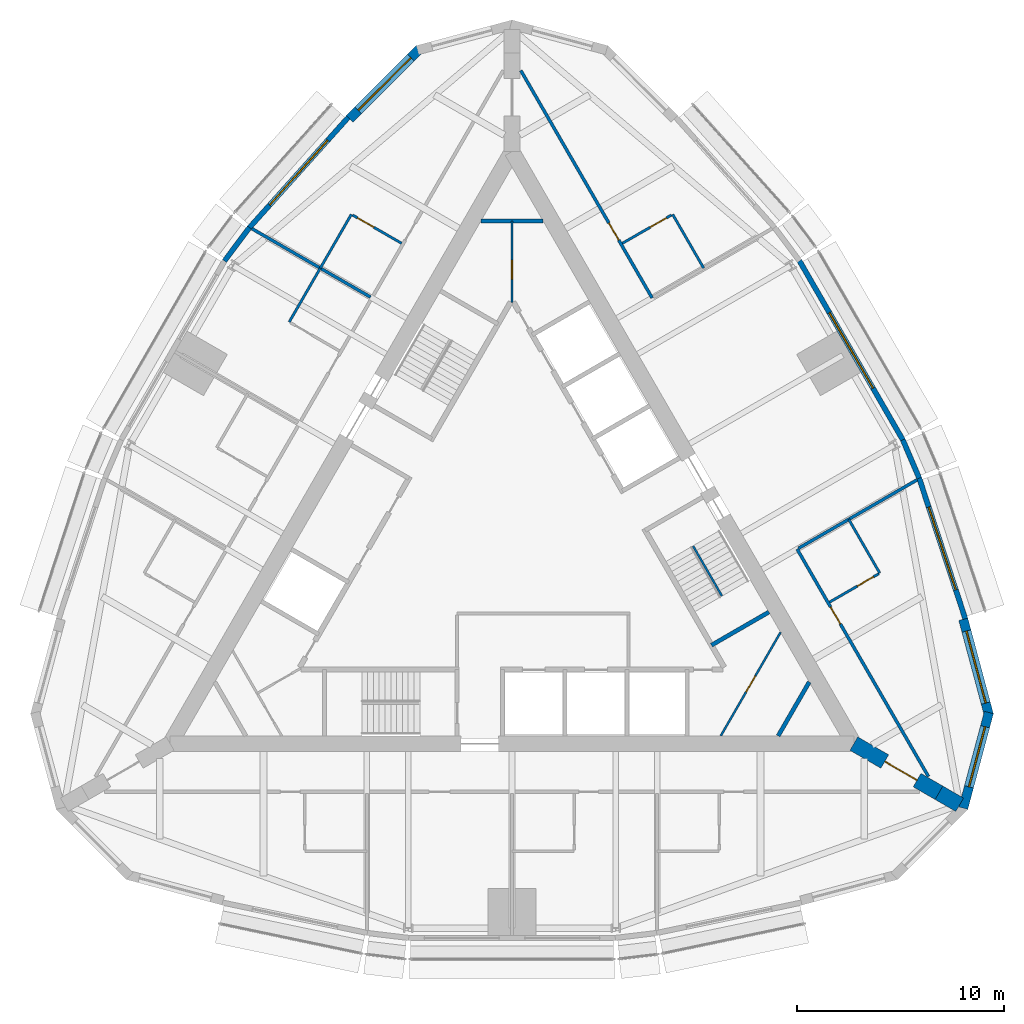
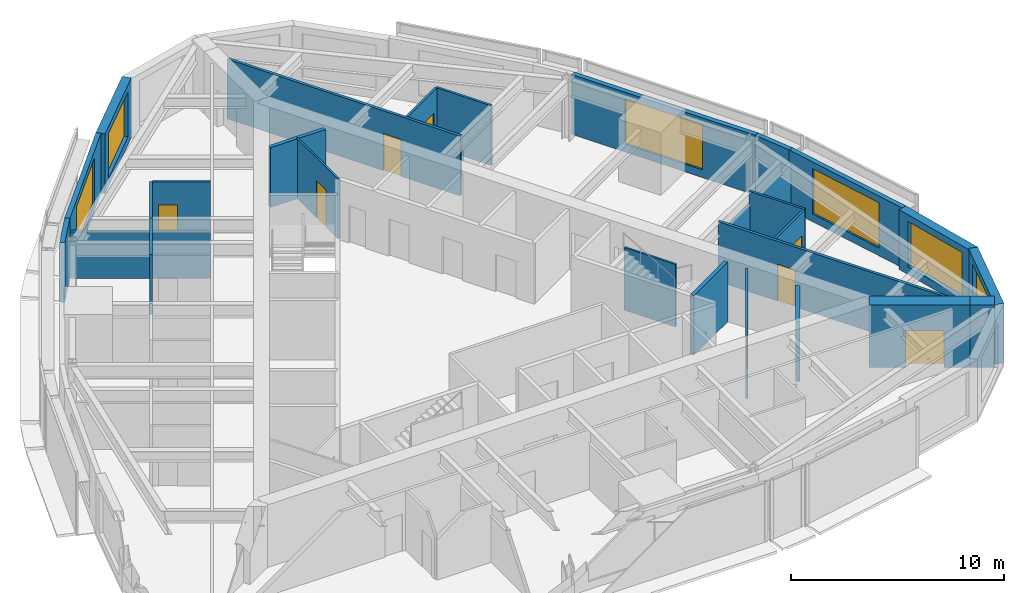
# One storey, part 10 of 12: 27 walls, 8 doors, 6 windows, 14 openings.
"""IFC4 building model written with IfcOpenShell, lengths in metres."""

import ifcopenshell
import ifcopenshell.guid

model = None  # the IFC model being written
_history = None  # IfcOwnerHistory: only IFC2X3 demands one
_inside = {}  # id of a spatial element -> (the spatial element, [elements in it])
_under = {}  # id of a project, library or spatial element -> (it, [spatial elements below it])
_declared = {}  # id of a project -> (the project, [libraries it declares])
_typed = {}  # id of a type object -> (the type object, [elements of that type])
_made_of = {}  # id of a material, layer set ... -> (it, [elements and type objects made of it])


def new_model(schema):
    """Start an empty IFC model of exactly this schema.

    Asked for "IFC4X3", IfcOpenShell would pick the latest addendum, in which some entities
    have other attributes; the version numbers below select the first issue.
    IFC2X3 requires an IfcOwnerHistory on every rooted entity: one is made here for all.
    """
    global model, _history
    if schema == "IFC4X3":
        model = ifcopenshell.file(schema_version=(4, 3, 0, 0))
    else:
        model = ifcopenshell.file(schema=schema)
    _inside.clear()
    _under.clear()
    _declared.clear()
    _typed.clear()
    _made_of.clear()
    _history = None
    if model.schema == "IFC2X3":
        org = make("IfcOrganization", Name="unknown")
        user = make(
            "IfcPersonAndOrganization",
            ThePerson=make("IfcPerson", FamilyName="unknown"),
            TheOrganization=org,
        )
        app = make(
            "IfcApplication",
            ApplicationDeveloper=org,
            Version="unknown",
            ApplicationFullName="unknown",
            ApplicationIdentifier="unknown",
        )
        _history = make(
            "IfcOwnerHistory",
            OwningUser=user,
            OwningApplication=app,
            ChangeAction="ADDED",
            CreationDate=0,
        )
    return model


def make(cls, **values):
    """One entity of the class cls with the attributes given. An attribute that is None is left unset."""
    return model.create_entity(
        cls, **{name: value for name, value in values.items() if value is not None}
    )


def rooted(cls, **values):
    """An entity with a GlobalId (a new one), such as an element, a storey or a relation."""
    return make(cls, GlobalId=ifcopenshell.guid.new(), OwnerHistory=_history, **values)


def si_unit(unit_type, name, prefix=None):
    """IfcSIUnit, for example si_unit("LENGTHUNIT", "METRE", prefix="MILLI")."""
    return make("IfcSIUnit", UnitType=unit_type, Prefix=prefix, Name=name)


def assignment(units):
    """IfcUnitAssignment: the units of a project."""
    return None if units is None else make("IfcUnitAssignment", Units=units)


def point(xyz):
    """IfcCartesianPoint."""
    return None if xyz is None else make("IfcCartesianPoint", Coordinates=xyz)


def direction(xyz):
    """IfcDirection."""
    return None if xyz is None else make("IfcDirection", DirectionRatios=xyz)


def frame(location, z_axis=None, x_axis=None):
    """IfcAxis2Placement3D, a coordinate frame: its origin and axes. An axis left out is left unset."""
    return make(
        "IfcAxis2Placement3D",
        Location=point(location),
        Axis=direction(z_axis),
        RefDirection=direction(x_axis),
    )


def frame_2d(location, x_axis=None):
    """IfcAxis2Placement2D, a coordinate frame in the plane: its origin and x axis."""
    return make(
        "IfcAxis2Placement2D", Location=point(location), RefDirection=direction(x_axis)
    )


def origin():
    """The frame at (0, 0, 0) with its axes left unset."""
    return frame((0.0, 0.0, 0.0))


def place(relative_to, where):
    """IfcLocalPlacement: puts the frame where relative to a parent placement (None: the world)."""
    return make(
        "IfcLocalPlacement", PlacementRelTo=relative_to, RelativePlacement=where
    )


def context(
    kind, dimensions, precision=None, world=None, true_north=None, identifier=None
):
    """IfcGeometricRepresentationContext, for example the 3D "Model" context."""
    return make(
        "IfcGeometricRepresentationContext",
        ContextIdentifier=identifier,
        ContextType=kind,
        CoordinateSpaceDimension=dimensions,
        Precision=precision,
        WorldCoordinateSystem=world,
        TrueNorth=true_north,
    )


def subcontext(parent, identifier, kind, view, scale=None):
    """IfcGeometricRepresentationSubContext, for example "Body" below "Model"."""
    return make(
        "IfcGeometricRepresentationSubContext",
        ContextIdentifier=identifier,
        ContextType=kind,
        ParentContext=parent,
        TargetScale=scale,
        TargetView=view,
    )


def project(units=None, contexts=None):
    """IfcProject with its units and contexts."""
    return rooted(
        "IfcProject",
        Name="project",
        RepresentationContexts=contexts,
        UnitsInContext=assignment(units),
    )


def spatial(cls, under=None, at=None, **own):
    """A site, building, storey or space (cls), placed at a placement, below another one or the project."""
    s = rooted(cls, ObjectPlacement=at, **own)
    if under is not None:
        _under.setdefault(under.id(), (under, []))[1].append(s)
    return s


def polyline(points):
    """IfcPolyline through the points."""
    return make("IfcPolyline", Points=[point(p) for p in points])


def profile(cls, at=None, kind="AREA", **sizes):
    """A parametric profile (cls). Its sizes go by their IFC names, for example OverallWidth=200.0."""
    return make(cls, ProfileType=kind, Position=at, **sizes)


def rectangle(**sizes):
    """IfcRectangleProfileDef."""
    return profile("IfcRectangleProfileDef", **sizes)


def outline(outer, holes=None, kind="AREA"):
    """IfcArbitraryClosedProfileDef: a profile drawn as a closed curve; with holes, ...WithVoids."""
    if holes is None:
        return make("IfcArbitraryClosedProfileDef", ProfileType=kind, OuterCurve=outer)
    return make(
        "IfcArbitraryProfileDefWithVoids",
        ProfileType=kind,
        OuterCurve=outer,
        InnerCurves=holes,
    )


def extrude(swept, where, along, depth):
    """IfcExtrudedAreaSolid: the profile swept, set in the frame where, extruded along a direction by depth."""
    return make(
        "IfcExtrudedAreaSolid",
        SweptArea=swept,
        Position=where,
        ExtrudedDirection=direction(along),
        Depth=depth,
    )


def shape(context_of_items, identifier, shape_type, items):
    """IfcShapeRepresentation: the items that make up one representation, for example the "Body"."""
    return make(
        "IfcShapeRepresentation",
        ContextOfItems=context_of_items,
        RepresentationIdentifier=identifier,
        RepresentationType=shape_type,
        Items=items,
    )


def material(Name=None, Category=None):
    """IfcMaterial."""
    return make("IfcMaterial", Name=Name, Category=Category)


def layer(
    of_material, thickness, ventilated=None, Name=None, Category=None, Priority=None
):
    """IfcMaterialLayer: one layer of a wall or slab, of a material (None: an air gap)."""
    return make(
        "IfcMaterialLayer",
        Material=of_material,
        LayerThickness=thickness,
        IsVentilated=ventilated,
        Name=Name,
        Category=Category,
        Priority=Priority,
    )


def layer_set(layers, Name=None):
    """IfcMaterialLayerSet."""
    return make("IfcMaterialLayerSet", MaterialLayers=layers, LayerSetName=Name)


def made_of(thing, what):
    """Note that an element or type object is made of a material, layer set ...; save() writes the relation."""
    if what is not None:
        _made_of.setdefault(what.id(), (what, []))[1].append(thing)
    return thing


def type_object(cls, material=None, **own):
    """A type object (cls), such as IfcWallType, which elements share."""
    return made_of(rooted(cls, **own), material)


def element(
    cls,
    number,
    at=None,
    inside=None,
    cuts=None,
    type_object=None,
    material=None,
    context=None,
    identifier="Body",
    shape_type=None,
    held_by="IfcProductDefinitionShape",
    body=None,
    shapes=None,
    **own,
):
    """One element of the class cls, such as IfcWall. Its Tag is "e" and its number.

    at: its placement. inside: the storey or other place that contains it. cuts: it is an
    opening in that element (IfcRelVoidsElement). A single representation is given by context,
    identifier, shape_type and body (its items); several are given by shapes. held_by: the class
    of the entity that holds the representations. save() writes the other relations.
    """
    e = rooted(cls, Tag="e%d" % number, ObjectPlacement=at, **own)
    if body is not None:
        shapes = [shape(context, identifier, shape_type, body)]
    if shapes is not None:
        e.Representation = make(held_by, Representations=shapes)
    if inside is not None:
        _inside.setdefault(inside.id(), (inside, []))[1].append(e)
    if cuts is not None:
        rooted(
            "IfcRelVoidsElement", RelatingBuildingElement=cuts, RelatedOpeningElement=e
        )
    if type_object is not None:
        _typed.setdefault(type_object.id(), (type_object, []))[1].append(e)
    return made_of(e, material)


def fill(opening, filler):
    """IfcRelFillsElement: the door or window that sits in an opening."""
    return rooted(
        "IfcRelFillsElement",
        RelatingOpeningElement=opening,
        RelatedBuildingElement=filler,
    )


def aggregate(whole, parts):
    """IfcRelAggregates: a whole, such as a stair, and the parts it consists of."""
    return rooted("IfcRelAggregates", RelatingObject=whole, RelatedObjects=parts)


def save(model, path):
    """Write the relations noted so far, then the file.

    IfcRelAggregates (storeys below a building ...), IfcRelContainedInSpatialStructure (elements
    in a storey), IfcRelDefinesByType, IfcRelAssociatesMaterial and IfcRelDeclares: one each for
    every whole, place, type object, material and project.
    """
    for whole, parts in _under.values():
        aggregate(whole, parts)
    for where, things in _inside.values():
        rooted(
            "IfcRelContainedInSpatialStructure",
            RelatedElements=things,
            RelatingStructure=where,
        )
    for kind, things in _typed.values():
        rooted("IfcRelDefinesByType", RelatedObjects=things, RelatingType=kind)
    for what, things in _made_of.values():
        rooted("IfcRelAssociatesMaterial", RelatedObjects=things, RelatingMaterial=what)
    for by, libraries in _declared.values():
        rooted("IfcRelDeclares", RelatingContext=by, RelatedDefinitions=libraries)
    model.write(path)


model = new_model("IFC4")

# Units and contexts
model_context = context("Model", 3, precision=1e-05, world=origin(), true_north=direction((0.0, 1.0)))
body_context = subcontext(model_context, "Body", "Model", "MODEL_VIEW")
ifc_project = project(units=[si_unit("LENGTHUNIT", "METRE"), si_unit("AREAUNIT", "SQUARE_METRE"), si_unit("VOLUMEUNIT", "CUBIC_METRE"), si_unit("PLANEANGLEUNIT", "RADIAN"), si_unit("MASSUNIT", "GRAM", prefix="KILO")], contexts=[model_context])

# Site, building, storey
site_placement = place(None, origin())
site = spatial("IfcSite", under=ifc_project, at=site_placement, CompositionType="ELEMENT")
building_placement = place(site_placement, origin())
building = spatial("IfcBuilding", under=site, at=building_placement, Name="Trikona Tower", CompositionType="ELEMENT")
storey_placement = place(building_placement, frame((0.0, 0.0, 242.89990234375)))
storey = spatial("IfcBuildingStorey", under=building, at=storey_placement, Name="L64", CompositionType="ELEMENT", Elevation=242.89990234375)

# Wall
ifc_material_1 = material(Name="Metal stud and cement board", Category="gypsum")
ifc_layer_1 = layer(ifc_material_1, 0.1201171875)
ifc_layer_set_1 = layer_set([ifc_layer_1], Name="Bathroom wall 120")
wall_type_1 = type_object("IfcWallType", Name="Bathroom wall 120", PredefinedType="PLUMBINGWALL", material=ifc_layer_set_1)
wall_1_placement = place(storey_placement, frame((17.75341796875, -1.297119140625, 0.0), z_axis=(0.0, 0.0, 1.0), x_axis=(-0.499990139034, 0.866031096941, 0.0)))
element("IfcWall", 1, at=wall_1_placement, inside=storey, type_object=wall_type_1, Name="Bathroom wall 6404", PredefinedType="PLUMBINGWALL", context=body_context, shape_type="SweptSolid", body=[
    extrude(rectangle(XDim=3.0, YDim=0.1201171875, at=frame_2d((1.5, 0.0))), origin(), (0.0, 0.0, 1.0), 3.43505859375),
])

# Wall, opening, door
wall_2_placement = place(storey_placement, frame((15.32861328125, -2.697021484375, 0.0), z_axis=(0.0, 0.0, 1.0), x_axis=(0.866035715982, 0.499982138324, 0.0)))
wall_2 = element("IfcWall", 2, at=wall_2_placement, inside=storey, type_object=wall_type_1, Name="Bathroom wall 6404", PredefinedType="PLUMBINGWALL", context=body_context, shape_type="SweptSolid", body=[
    extrude(rectangle(XDim=2.73974609375, YDim=0.1201171875, at=frame_2d((1.369873046875, 0.0))), origin(), (0.0, 0.0, 1.0), 3.43505859375),
])
opening_1_placement = place(wall_2_placement, frame((1.550048828125, 0.0, 0.0)))
opening_1 = element("IfcOpeningElement", 3, at=opening_1_placement, cuts=wall_2, Name="Opening D2", PredefinedType="OPENING", context=body_context, shape_type="SweptSolid", body=[
    extrude(rectangle(XDim=0.89990234375, YDim=2.1298828125, at=frame_2d((0.449951171875, 1.06494140625))), frame((0.0, 0.070068359375, 0.0), z_axis=(0.0, -1.0, 0.0), x_axis=(1.0, 0.0, 0.0)), (0.0, 0.0, 1.0), 0.14013671875),
])
ifc_material_2 = material(Name="Steel door frame with solid-core timber leaf", Category="steel")
door_type_1 = type_object("IfcDoorType", Name="Bathroom door 900x2130", OperationType="SLIDING_TO_LEFT", PredefinedType="DOOR", material=ifc_material_2)
door_1_placement = place(opening_1_placement, origin())
door_1 = element("IfcDoor", 4, at=door_1_placement, inside=storey, type_object=door_type_1, Name="Bathroom door 6404", OperationType="SLIDING_TO_LEFT", OverallHeight=2.1298828125, OverallWidth=0.89990234375, PredefinedType="DOOR", context=body_context, shape_type="SweptSolid", body=[
    extrude(rectangle(XDim=0.89990234375, YDim=2.1298828125, at=frame_2d((0.449951171875, 1.06494140625))), frame((0.0, 0.02490234375, 0.0), z_axis=(0.0, -1.0, 0.0), x_axis=(1.0, 0.0, 0.0)), (0.0, 0.0, 1.0), 0.050048828125),
])
fill(opening_1, door_1)

# Wall
wall_3_placement = place(storey_placement, frame((9.25341796875, 13.42529296875, 0.0), z_axis=(0.0, 0.0, 1.0), x_axis=(-0.499990139034, 0.866031096941, 0.0)))
element("IfcWall", 5, at=wall_3_placement, inside=storey, type_object=wall_type_1, Name="Bathroom wall 6405", PredefinedType="PLUMBINGWALL", context=body_context, shape_type="SweptSolid", body=[
    extrude(rectangle(XDim=3.0, YDim=0.1201171875, at=frame_2d((1.5, 0.0))), origin(), (0.0, 0.0, 1.0), 3.43505859375),
])

# Wall, opening, door
wall_4_placement = place(storey_placement, frame((5.32861328125, 14.623291015625, 0.0), z_axis=(0.0, 0.0, 1.0), x_axis=(0.865997131366, 0.500048966069, 0.0)))
wall_4 = element("IfcWall", 6, at=wall_4_placement, inside=storey, type_object=wall_type_1, Name="Bathroom wall 6405", PredefinedType="PLUMBINGWALL", context=body_context, shape_type="SweptSolid", body=[
    extrude(rectangle(XDim=2.739990234375, YDim=0.1201171875, at=frame_2d((1.3701171875, 0.0))), origin(), (0.0, 0.0, 1.0), 3.43505859375),
])
opening_2_placement = place(wall_4_placement, frame((1.550048828125, 0.0, 0.0)))
opening_2 = element("IfcOpeningElement", 7, at=opening_2_placement, cuts=wall_4, Name="Opening D2", PredefinedType="OPENING", context=body_context, shape_type="SweptSolid", body=[
    extrude(rectangle(XDim=0.89990234375, YDim=2.1298828125, at=frame_2d((0.449951171875, 1.06494140625))), frame((0.0, 0.070068359375, 0.0), z_axis=(0.0, -1.0, 0.0), x_axis=(1.0, 0.0, 0.0)), (0.0, 0.0, 1.0), 0.14013671875),
])
door_2_placement = place(opening_2_placement, origin())
door_2 = element("IfcDoor", 8, at=door_2_placement, inside=storey, type_object=door_type_1, Name="Bathroom door 6405", OperationType="SLIDING_TO_LEFT", OverallHeight=2.1298828125, OverallWidth=0.89990234375, PredefinedType="DOOR", context=body_context, shape_type="SweptSolid", body=[
    extrude(rectangle(XDim=0.89990234375, YDim=2.1298828125, at=frame_2d((0.449951171875, 1.06494140625))), frame((0.0, 0.02490234375, 0.0), z_axis=(0.0, -1.0, 0.0), x_axis=(1.0, 0.0, 0.0)), (0.0, 0.0, 1.0), 0.050048828125),
])
fill(opening_2, door_2)

# Wall
wall_5_placement = place(storey_placement, frame((-7.75341796875, 16.0234375, 0.0), z_axis=(0.0, 0.0, 1.0), x_axis=(-0.499990139034, -0.866031096941, 0.0)))
element("IfcWall", 9, at=wall_5_placement, inside=storey, type_object=wall_type_1, Name="Bathroom wall 6406", PredefinedType="PLUMBINGWALL", context=body_context, shape_type="SweptSolid", body=[
    extrude(rectangle(XDim=3.0, YDim=0.1201171875, at=frame_2d((1.5, 0.0))), origin(), (0.0, 0.0, 1.0), 3.43505859375),
])

# Wall, opening, door
wall_6_placement = place(storey_placement, frame((-5.32861328125, 14.623291015625, 0.0), z_axis=(0.0, 0.0, 1.0), x_axis=(-0.865997131366, 0.500048966069, 0.0)))
wall_6 = element("IfcWall", 10, at=wall_6_placement, inside=storey, type_object=wall_type_1, Name="Bathroom wall 6406", PredefinedType="PLUMBINGWALL", context=body_context, shape_type="SweptSolid", body=[
    extrude(rectangle(XDim=2.739990234375, YDim=0.1201171875, at=frame_2d((1.3701171875, 0.0))), origin(), (0.0, 0.0, 1.0), 3.43505859375),
])
opening_3_placement = place(wall_6_placement, frame((1.550048828125, 0.0, 0.0)))
opening_3 = element("IfcOpeningElement", 11, at=opening_3_placement, cuts=wall_6, Name="Opening D2", PredefinedType="OPENING", context=body_context, shape_type="SweptSolid", body=[
    extrude(rectangle(XDim=0.89990234375, YDim=2.1298828125, at=frame_2d((0.449951171875, 1.06494140625))), frame((0.0, 0.070068359375, 0.0), z_axis=(0.0, -1.0, 0.0), x_axis=(1.0, 0.0, 0.0)), (0.0, 0.0, 1.0), 0.14013671875),
])
door_3_placement = place(opening_3_placement, origin())
door_3 = element("IfcDoor", 12, at=door_3_placement, inside=storey, type_object=door_type_1, Name="Bathroom door 6406", OperationType="SLIDING_TO_LEFT", OverallHeight=2.1298828125, OverallWidth=0.89990234375, PredefinedType="DOOR", context=body_context, shape_type="SweptSolid", body=[
    extrude(rectangle(XDim=0.89990234375, YDim=2.1298828125, at=frame_2d((0.449951171875, 1.06494140625))), frame((0.0, 0.02490234375, 0.0), z_axis=(0.0, -1.0, 0.0), x_axis=(1.0, 0.0, 0.0)), (0.0, 0.0, 1.0), 0.050048828125),
])
fill(opening_3, door_3)

# Wall
wall_7_placement = place(storey_placement, frame((-9.25341796875, 13.42529296875, 0.0), z_axis=(0.0, 0.0, 1.0), x_axis=(-0.499990139034, -0.866031096941, 0.0)))
element("IfcWall", 13, at=wall_7_placement, inside=storey, type_object=wall_type_1, Name="Bathroom wall 6407", PredefinedType="PLUMBINGWALL", context=body_context, shape_type="SweptSolid", body=[
    extrude(rectangle(XDim=3.0, YDim=0.1201171875, at=frame_2d((1.5, 0.0))), origin(), (0.0, 0.0, 1.0), 3.43505859375),
])

# Wall, opening, window
ifc_material_3 = material(Name="Brick-faced precast concrete", Category="masonry")
ifc_layer_2 = layer(ifc_material_3, 0.449951171875)
ifc_layer_set_2 = layer_set([ifc_layer_2], Name="Brick-faced corner wall 450")
wall_type_2 = type_object("IfcWallType", Name="Brick-faced corner wall 450", PredefinedType="SOLIDWALL", material=ifc_layer_set_2)
wall_8_placement = place(storey_placement, frame((21.78271484375, -12.6435546875, 0.0), z_axis=(0.0, 0.0, 1.0), x_axis=(0.25880328844, 0.965930048136, 0.0)))
wall_8 = element("IfcWall", 14, at=wall_8_placement, inside=storey, type_object=wall_type_2, Name="External wall L64-07", PredefinedType="SOLIDWALL", context=body_context, shape_type="SweptSolid", body=[
    extrude(outline(polyline([(4.78173828125, 0.22509765625), (0.5087890625, 0.22509765625), (0.478759765625, 0.112548828125), (0.0595703125, 0.22509765625), (0.0, 0.22509765625), (0.0, -0.22509765625), (4.78173828125, -0.22509765625), (4.78173828125, 0.22509765625)])), origin(), (0.0, 0.0, 1.0), 3.43505859375),
])
opening_4_placement = place(wall_8_placement, frame((1.0703125, 0.0, 0.449951171875)))
opening_4 = element("IfcOpeningElement", 15, at=opening_4_placement, cuts=wall_8, Name="Opening W3026", PredefinedType="OPENING", context=body_context, shape_type="SweptSolid", body=[
    extrude(rectangle(XDim=3.0, YDim=2.60009765625, at=frame_2d((1.5, 1.300048828125))), frame((0.0, 0.23486328125, 0.0), z_axis=(0.0, -1.0, 0.0), x_axis=(1.0, 0.0, 0.0)), (0.0, 0.0, 1.0), 0.469970703125),
])
ifc_material_4 = material(Name="Aluminium-framed double glazing", Category="aluminium")
window_type_1 = type_object("IfcWindowType", Name="Window 3000x2600", PartitioningType="SINGLE_PANEL", PredefinedType="WINDOW", material=ifc_material_4)
window_1_placement = place(opening_4_placement, origin())
window_1 = element("IfcWindow", 16, at=window_1_placement, inside=storey, type_object=window_type_1, Name="Window 6404", OverallHeight=2.60009765625, OverallWidth=3.0, PartitioningType="SINGLE_PANEL", PredefinedType="WINDOW", context=body_context, shape_type="SweptSolid", body=[
    extrude(rectangle(XDim=3.0, YDim=2.60009765625, at=frame_2d((1.5, 1.300048828125))), frame((0.0, 0.030029296875, 0.0), z_axis=(0.0, -1.0, 0.0), x_axis=(1.0, 0.0, 0.0)), (0.0, 0.0, 1.0), 0.06005859375),
])
fill(opening_4, window_1)

wall_9_placement = place(storey_placement, frame((23.020263671875, -8.14111328125, 0.0), z_axis=(0.0, 0.0, 1.0), x_axis=(-0.25880328844, 0.965930048136, 0.0)))
wall_9 = element("IfcWall", 17, at=wall_9_placement, inside=storey, type_object=wall_type_2, Name="External wall L64-08", PredefinedType="SOLIDWALL", context=body_context, shape_type="SweptSolid", body=[
    extrude(rectangle(XDim=4.78173828125, YDim=0.449951171875, at=frame_2d((2.390869140625, 0.0))), origin(), (0.0, 0.0, 1.0), 3.43505859375),
])
opening_5_placement = place(wall_9_placement, frame((0.5908203125, 0.0, 0.449951171875)))
opening_5 = element("IfcOpeningElement", 18, at=opening_5_placement, cuts=wall_9, Name="Opening W3626", PredefinedType="OPENING", context=body_context, shape_type="SweptSolid", body=[
    extrude(rectangle(XDim=3.60009765625, YDim=2.60009765625, at=frame_2d((1.800048828125, 1.300048828125))), frame((0.0, 0.23486328125, 0.0), z_axis=(0.0, -1.0, 0.0), x_axis=(1.0, 0.0, 0.0)), (0.0, 0.0, 1.0), 0.469970703125),
])
ifc_material_5 = material(Name="Aluminium-framed double glazing", Category="aluminium")
window_type_2 = type_object("IfcWindowType", Name="Window 3600x2600", PartitioningType="SINGLE_PANEL", PredefinedType="WINDOW", material=ifc_material_5)
window_2_placement = place(opening_5_placement, origin())
window_2 = element("IfcWindow", 19, at=window_2_placement, inside=storey, type_object=window_type_2, Name="Window 6404", OverallHeight=2.60009765625, OverallWidth=3.60009765625, PartitioningType="SINGLE_PANEL", PredefinedType="WINDOW", context=body_context, shape_type="SweptSolid", body=[
    extrude(rectangle(XDim=3.60009765625, YDim=2.60009765625, at=frame_2d((1.800048828125, 1.300048828125))), frame((0.0, 0.030029296875, 0.0), z_axis=(0.0, -1.0, 0.0), x_axis=(1.0, 0.0, 0.0)), (0.0, 0.0, 1.0), 0.06005859375),
])
fill(opening_5, window_2)

wall_10_placement = place(storey_placement, frame((-4.459716796875, 24.006591796875, 0.0), z_axis=(0.0, 0.0, 1.0), x_axis=(-0.707106781187, -0.707106781187, 0.0)))
wall_10 = element("IfcWall", 20, at=wall_10_placement, inside=storey, type_object=wall_type_2, Name="External wall L64-17", PredefinedType="SOLIDWALL", context=body_context, shape_type="SweptSolid", body=[
    extrude(rectangle(XDim=4.781494140625, YDim=0.449951171875, at=frame_2d((2.390625, 0.0))), origin(), (0.0, 0.0, 1.0), 3.43505859375),
])
opening_6_placement = place(wall_10_placement, frame((0.5908203125, 0.0, 0.449951171875)))
opening_6 = element("IfcOpeningElement", 21, at=opening_6_placement, cuts=wall_10, Name="Opening W3626", PredefinedType="OPENING", context=body_context, shape_type="SweptSolid", body=[
    extrude(rectangle(XDim=3.60009765625, YDim=2.60009765625, at=frame_2d((1.800048828125, 1.300048828125))), frame((0.0, 0.23486328125, 0.0), z_axis=(0.0, -1.0, 0.0), x_axis=(1.0, 0.0, 0.0)), (0.0, 0.0, 1.0), 0.469970703125),
])
window_3_placement = place(opening_6_placement, origin())
window_3 = element("IfcWindow", 22, at=window_3_placement, inside=storey, type_object=window_type_2, Name="Window 6406", OverallHeight=2.60009765625, OverallWidth=3.60009765625, PartitioningType="SINGLE_PANEL", PredefinedType="WINDOW", context=body_context, shape_type="SweptSolid", body=[
    extrude(rectangle(XDim=3.60009765625, YDim=2.60009765625, at=frame_2d((1.800048828125, 1.300048828125))), frame((0.0, 0.030029296875, 0.0), z_axis=(0.0, -1.0, 0.0), x_axis=(1.0, 0.0, 0.0)), (0.0, 0.0, 1.0), 0.06005859375),
])
fill(opening_6, window_3)

# Wall, opening, door
ifc_material_6 = material(Name="Concrete f'c 10000 psi", Category="concrete")
ifc_layer_3 = layer(ifc_material_6, 0.75)
ifc_layer_set_3 = layer_set([ifc_layer_3], Name="Buttress wall 750")
wall_type_3 = type_object("IfcWallType", Name="Buttress wall 750", PredefinedType="SHEAR", material=ifc_layer_set_3)
wall_11_placement = place(storey_placement, frame((16.5, -9.5263671875, 0.0), z_axis=(0.0, 0.0, 1.0), x_axis=(0.866031398331, -0.499989616998, 0.0)))
wall_11 = element("IfcWall", 23, at=wall_11_placement, inside=storey, type_object=wall_type_3, Name="Buttress wall 1", PredefinedType="SHEAR", context=body_context, shape_type="SweptSolid", body=[
    extrude(rectangle(XDim=4.74609375, YDim=0.75, at=frame_2d((2.373046875, 0.0))), origin(), (0.0, 0.0, 1.0), 3.60009765625),
])
opening_7_placement = place(wall_11_placement, frame((1.72509765625, 0.0, 0.0)))
opening_7 = element("IfcOpeningElement", 24, at=opening_7_placement, cuts=wall_11, Name="Opening D10", PredefinedType="OPENING", context=body_context, shape_type="SweptSolid", body=[
    extrude(rectangle(XDim=1.800048828125, YDim=2.1298828125, at=frame_2d((0.89990234375, 1.06494140625))), frame((0.0, 0.385009765625, 0.0), z_axis=(0.0, -1.0, 0.0), x_axis=(1.0, 0.0, 0.0)), (0.0, 0.0, 1.0), 0.77001953125),
])
ifc_material_7 = material(Name="Hollow metal door and frame", Category="steel")
door_type_2 = type_object("IfcDoorType", Name="Cross-corridor door pair 1800x2130", OperationType="DOUBLE_DOOR_DOUBLE_SWING", PredefinedType="DOOR", material=ifc_material_7)
door_4_placement = place(opening_7_placement, origin())
door_4 = element("IfcDoor", 25, at=door_4_placement, inside=storey, type_object=door_type_2, Name="Cross-corridor door 1", OperationType="DOUBLE_DOOR_DOUBLE_SWING", OverallHeight=2.1298828125, OverallWidth=1.800048828125, PredefinedType="DOOR", context=body_context, shape_type="SweptSolid", body=[
    extrude(rectangle(XDim=1.800048828125, YDim=2.1298828125, at=frame_2d((0.89990234375, 1.06494140625))), frame((0.0, 0.02490234375, 0.0), z_axis=(0.0, -1.0, 0.0), x_axis=(1.0, 0.0, 0.0)), (0.0, 0.0, 1.0), 0.050048828125),
])
fill(opening_7, door_4)

# Wall
wall_12_placement = place(storey_placement, frame((20.6103515625, -11.8994140625, 0.0), z_axis=(0.0, 0.0, 1.0), x_axis=(0.866009537788, -0.500027479704, 0.0)))
element("IfcWall", 26, at=wall_12_placement, inside=storey, type_object=wall_type_3, Name="Buttress wall 1 part 2", PredefinedType="SHEAR", context=body_context, shape_type="SweptSolid", body=[
    extrude(rectangle(XDim=1.15478515625, YDim=0.75, at=frame_2d((0.577392578125, 0.0))), origin(), (0.0, 0.0, 1.0), 3.60009765625),
])

# Wall, opening, door
ifc_material_8 = material(Name="Metal stud and gypsum board, 1-hour", Category="gypsum")
ifc_layer_4 = layer(ifc_material_8, 0.14990234375)
ifc_layer_set_4 = layer_set([ifc_layer_4], Name="Corridor wall 150")
wall_type_4 = type_object("IfcWallType", Name="Corridor wall 150", PredefinedType="PARTITIONING", material=ifc_layer_set_4)
wall_13_placement = place(storey_placement, frame((20.10205078125, -11.115234375, 0.0), z_axis=(0.0, 0.0, 1.0), x_axis=(-0.500001960654, 0.866024271797, 0.0)))
wall_13 = element("IfcWall", 27, at=wall_13_placement, inside=storey, type_object=wall_type_4, Name="Corridor wall L64-2A", PredefinedType="PARTITIONING", context=body_context, shape_type="SweptSolid", body=[
    extrude(rectangle(XDim=12.67724609375, YDim=0.14990234375, at=frame_2d((6.338623046875, 0.0))), origin(), (0.0, 0.0, 1.0), 3.43505859375),
])
opening_8_placement = place(wall_13_placement, frame((8.501953125, 0.0, 0.0)))
opening_8 = element("IfcOpeningElement", 28, at=opening_8_placement, cuts=wall_13, Name="Opening D1", PredefinedType="OPENING", context=body_context, shape_type="SweptSolid", body=[
    extrude(rectangle(XDim=0.949951171875, YDim=2.1298828125, at=frame_2d((0.47509765625, 1.06494140625))), frame((0.0, 0.0849609375, 0.0), z_axis=(0.0, -1.0, 0.0), x_axis=(1.0, 0.0, 0.0)), (0.0, 0.0, 1.0), 0.169921875),
])
ifc_material_9 = material(Name="Steel door frame with solid-core timber leaf", Category="steel")
door_type_3 = type_object("IfcDoorType", Name="Guest room door 950x2130", OperationType="SINGLE_SWING_LEFT", PredefinedType="DOOR", material=ifc_material_9)
door_5_placement = place(opening_8_placement, origin())
door_5 = element("IfcDoor", 29, at=door_5_placement, inside=storey, type_object=door_type_3, Name="Room door 6404", OperationType="SINGLE_SWING_LEFT", OverallHeight=2.1298828125, OverallWidth=0.949951171875, PredefinedType="DOOR", context=body_context, shape_type="SweptSolid", body=[
    extrude(rectangle(XDim=0.949951171875, YDim=2.1298828125, at=frame_2d((0.47509765625, 1.06494140625))), frame((0.0, 0.02490234375, 0.0), z_axis=(0.0, -1.0, 0.0), x_axis=(1.0, 0.0, 0.0)), (0.0, 0.0, 1.0), 0.050048828125),
])
fill(opening_8, door_5)

wall_14_placement = place(storey_placement, frame((6.763427734375, 11.98779296875, 0.0), z_axis=(0.0, 0.0, 1.0), x_axis=(-0.49999585592, 0.866027796357, 0.0)))
wall_14 = element("IfcWall", 30, at=wall_14_placement, inside=storey, type_object=wall_type_4, Name="Corridor wall L64-2B", PredefinedType="PARTITIONING", context=body_context, shape_type="SweptSolid", body=[
    extrude(rectangle(XDim=12.6767578125, YDim=0.14990234375, at=frame_2d((6.33837890625, 0.0))), origin(), (0.0, 0.0, 1.0), 3.43505859375),
])
opening_9_placement = place(wall_14_placement, frame((3.22509765625, 0.0, 0.0)))
opening_9 = element("IfcOpeningElement", 31, at=opening_9_placement, cuts=wall_14, Name="Opening D1", PredefinedType="OPENING", context=body_context, shape_type="SweptSolid", body=[
    extrude(rectangle(XDim=0.949951171875, YDim=2.1298828125, at=frame_2d((0.47509765625, 1.06494140625))), frame((0.0, 0.0849609375, 0.0), z_axis=(0.0, -1.0, 0.0), x_axis=(1.0, 0.0, 0.0)), (0.0, 0.0, 1.0), 0.169921875),
])
door_6_placement = place(opening_9_placement, origin())
door_6 = element("IfcDoor", 32, at=door_6_placement, inside=storey, type_object=door_type_3, Name="Room door 6405", OperationType="SINGLE_SWING_LEFT", OverallHeight=2.1298828125, OverallWidth=0.949951171875, PredefinedType="DOOR", context=body_context, shape_type="SweptSolid", body=[
    extrude(rectangle(XDim=0.949951171875, YDim=2.1298828125, at=frame_2d((0.47509765625, 1.06494140625))), frame((0.0, 0.02490234375, 0.0), z_axis=(0.0, -1.0, 0.0), x_axis=(1.0, 0.0, 0.0)), (0.0, 0.0, 1.0), 0.050048828125),
])
fill(opening_9, door_6)

# Wall, opening, window
ifc_material_10 = material(Name="Insulated precast concrete spandrel panel", Category="concrete")
ifc_layer_5 = layer(ifc_material_10, 0.25)
ifc_layer_set_5 = layer_set([ifc_layer_5], Name="Inner skin wall 250")
wall_type_5 = type_object("IfcWallType", Name="Inner skin wall 250", PredefinedType="STANDARD", material=ifc_layer_set_5)
wall_15_placement = place(storey_placement, frame((21.881103515625, -3.5029296875, 0.0), z_axis=(0.0, 0.0, 1.0), x_axis=(-0.311328857048, 0.95030223759, 0.0)))
wall_15 = element("IfcWall", 33, at=wall_15_placement, inside=storey, type_object=wall_type_5, Name="External wall L64-09", PredefinedType="STANDARD", context=body_context, shape_type="SweptSolid", body=[
    extrude(rectangle(XDim=7.152587890625, YDim=0.25, at=frame_2d((3.576171875, 0.0))), origin(), (0.0, 0.0, 1.0), 3.43505859375),
])
opening_10_placement = place(wall_15_placement, frame((1.476318359375, 0.0, 0.449951171875)))
opening_10 = element("IfcOpeningElement", 34, at=opening_10_placement, cuts=wall_15, Name="Opening W4226", PredefinedType="OPENING", context=body_context, shape_type="SweptSolid", body=[
    extrude(rectangle(XDim=4.199951171875, YDim=2.60009765625, at=frame_2d((2.10009765625, 1.300048828125))), frame((0.0, 0.135009765625, 0.0), z_axis=(0.0, -1.0, 0.0), x_axis=(1.0, 0.0, 0.0)), (0.0, 0.0, 1.0), 0.27001953125),
])
ifc_material_11 = material(Name="Aluminium-framed double glazing", Category="aluminium")
window_type_3 = type_object("IfcWindowType", Name="Window 4200x2600", PartitioningType="SINGLE_PANEL", PredefinedType="WINDOW", material=ifc_material_11)
window_4_placement = place(opening_10_placement, origin())
window_4 = element("IfcWindow", 35, at=window_4_placement, inside=storey, type_object=window_type_3, Name="Window 6404", OverallHeight=2.60009765625, OverallWidth=4.199951171875, PartitioningType="SINGLE_PANEL", PredefinedType="WINDOW", context=body_context, shape_type="SweptSolid", body=[
    extrude(rectangle(XDim=4.199951171875, YDim=2.60009765625, at=frame_2d((2.10009765625, 1.300048828125))), frame((0.0, 0.030029296875, 0.0), z_axis=(0.0, -1.0, 0.0), x_axis=(1.0, 0.0, 0.0)), (0.0, 0.0, 1.0), 0.06005859375),
])
fill(opening_10, window_4)

# Wall
wall_16_placement = place(storey_placement, frame((19.658203125, 3.283935546875, 0.0), z_axis=(0.0, 0.0, 1.0), x_axis=(-0.393290226175, 0.91941437774, 0.0)))
element("IfcWall", 36, at=wall_16_placement, inside=storey, type_object=wall_type_5, Name="External wall L64-10", PredefinedType="STANDARD", context=body_context, shape_type="SweptSolid", body=[
    extrude(rectangle(XDim=2.014404296875, YDim=0.25, at=frame_2d((1.00732421875, 0.0))), origin(), (0.0, 0.0, 1.0), 3.43505859375),
])

# Wall, opening, window
wall_17_placement = place(storey_placement, frame((18.87255859375, 5.12255859375, 0.0), z_axis=(0.0, 0.0, 1.0), x_axis=(-0.499993662806, 0.866029062534, 0.0)))
wall_17 = element("IfcWall", 37, at=wall_17_placement, inside=storey, type_object=wall_type_5, Name="External wall L64-11", PredefinedType="STANDARD", context=body_context, shape_type="SweptSolid", body=[
    extrude(rectangle(XDim=10.000244140625, YDim=0.25, at=frame_2d((5.0, 0.0))), origin(), (0.0, 0.0, 1.0), 3.43505859375),
])
opening_11_placement = place(wall_17_placement, frame((2.89990234375, 0.0, 0.449951171875)))
opening_11 = element("IfcOpeningElement", 38, at=opening_11_placement, cuts=wall_17, Name="Opening W4226", PredefinedType="OPENING", context=body_context, shape_type="SweptSolid", body=[
    extrude(rectangle(XDim=4.199951171875, YDim=2.60009765625, at=frame_2d((2.10009765625, 1.300048828125))), frame((0.0, 0.135009765625, 0.0), z_axis=(0.0, -1.0, 0.0), x_axis=(1.0, 0.0, 0.0)), (0.0, 0.0, 1.0), 0.27001953125),
])
window_5_placement = place(opening_11_placement, origin())
window_5 = element("IfcWindow", 39, at=window_5_placement, inside=storey, type_object=window_type_3, Name="Window L64-LNG", OverallHeight=2.60009765625, OverallWidth=4.199951171875, PartitioningType="SINGLE_PANEL", PredefinedType="WINDOW", context=body_context, shape_type="SweptSolid", body=[
    extrude(rectangle(XDim=4.199951171875, YDim=2.60009765625, at=frame_2d((2.10009765625, 1.300048828125))), frame((0.0, 0.030029296875, 0.0), z_axis=(0.0, -1.0, 0.0), x_axis=(1.0, 0.0, 0.0)), (0.0, 0.0, 1.0), 0.06005859375),
])
fill(opening_11, window_5)

wall_18_placement = place(storey_placement, frame((-7.906982421875, 20.701171875, 0.0), z_axis=(0.0, 0.0, 1.0), x_axis=(-0.667303550892, -0.744785855778, 0.0)))
wall_18 = element("IfcWall", 40, at=wall_18_placement, inside=storey, type_object=wall_type_5, Name="External wall L64-18", PredefinedType="STANDARD", context=body_context, shape_type="SweptSolid", body=[
    extrude(rectangle(XDim=7.152587890625, YDim=0.25, at=frame_2d((3.576171875, 0.0))), origin(), (0.0, 0.0, 1.0), 3.43505859375),
])
opening_12_placement = place(wall_18_placement, frame((1.476318359375, 0.0, 0.449951171875)))
opening_12 = element("IfcOpeningElement", 41, at=opening_12_placement, cuts=wall_18, Name="Opening W4226", PredefinedType="OPENING", context=body_context, shape_type="SweptSolid", body=[
    extrude(rectangle(XDim=4.199951171875, YDim=2.60009765625, at=frame_2d((2.10009765625, 1.300048828125))), frame((0.0, 0.135009765625, 0.0), z_axis=(0.0, -1.0, 0.0), x_axis=(1.0, 0.0, 0.0)), (0.0, 0.0, 1.0), 0.27001953125),
])
window_6_placement = place(opening_12_placement, origin())
window_6 = element("IfcWindow", 42, at=window_6_placement, inside=storey, type_object=window_type_3, Name="Window 6406", OverallHeight=2.60009765625, OverallWidth=4.199951171875, PartitioningType="SINGLE_PANEL", PredefinedType="WINDOW", context=body_context, shape_type="SweptSolid", body=[
    extrude(rectangle(XDim=4.199951171875, YDim=2.60009765625, at=frame_2d((2.10009765625, 1.300048828125))), frame((0.0, 0.030029296875, 0.0), z_axis=(0.0, -1.0, 0.0), x_axis=(1.0, 0.0, 0.0)), (0.0, 0.0, 1.0), 0.06005859375),
])
fill(opening_12, window_6)

# Walls
wall_19_placement = place(storey_placement, frame((-12.673095703125, 15.38232421875, 0.0), z_axis=(0.0, 0.0, 1.0), x_axis=(-0.599650843534, -0.800261748335, 0.0)))
element("IfcWall", 43, at=wall_19_placement, inside=storey, type_object=wall_type_5, Name="External wall L64-19", PredefinedType="STANDARD", context=body_context, shape_type="SweptSolid", body=[
    extrude(rectangle(XDim=2.01416015625, YDim=0.25, at=frame_2d((1.007080078125, 0.0))), origin(), (0.0, 0.0, 1.0), 3.43505859375),
])
ifc_material_12 = material(Name="Metal stud and gypsum board, 1-hour acoustic", Category="gypsum")
ifc_layer_6 = layer(ifc_material_12, 0.14990234375)
ifc_layer_set_6 = layer_set([ifc_layer_6], Name="Party wall 150")
wall_type_6 = type_object("IfcWallType", Name="Party wall 150", PredefinedType="PARTITIONING", material=ifc_layer_set_6)
wall_20_placement = place(storey_placement, frame((13.82861328125, -0.09912109375, 0.0), z_axis=(0.0, 0.0, 1.0), x_axis=(0.866022562216, 0.500004921708, 0.0)))
element("IfcWall", 44, at=wall_20_placement, inside=storey, type_object=wall_type_6, Name="Partition L64 F2 u-7", PredefinedType="PARTITIONING", context=body_context, shape_type="SweptSolid", body=[
    extrude(rectangle(XDim=6.60888671875, YDim=0.14990234375, at=frame_2d((3.304443359375, 0.0))), origin(), (0.0, 0.0, 1.0), 2.677978515625),
])
wall_21_placement = place(storey_placement, frame((-6.82861328125, 12.025390625, 0.0), z_axis=(0.0, 0.0, 1.0), x_axis=(-0.866029323189, 0.499993211332, 0.0)))
element("IfcWall", 45, at=wall_21_placement, inside=storey, type_object=wall_type_6, Name="Partition L64 F3 u-7", PredefinedType="PARTITIONING", context=body_context, shape_type="SweptSolid", body=[
    extrude(rectangle(XDim=6.6083984375, YDim=0.14990234375, at=frame_2d((3.30419921875, 0.0))), origin(), (0.0, 0.0, 1.0), 2.677978515625),
])
ifc_material_13 = material(Name="Concrete f'c 8000 psi", Category="concrete")
ifc_layer_7 = layer(ifc_material_13, 0.199951171875)
ifc_layer_set_7 = layer_set([ifc_layer_7], Name="Shaft wall 200")
wall_type_7 = type_object("IfcWallType", Name="Shaft wall 200", PredefinedType="SOLIDWALL", material=ifc_layer_set_7)
wall_22_placement = place(storey_placement, frame((14.349365234375, -6.55126953125, 0.0), z_axis=(0.0, 0.0, 1.0), x_axis=(-0.499952404951, -0.866052881055, 0.0)))
element("IfcWall", 46, at=wall_22_placement, inside=storey, type_object=wall_type_7, Name="Riser wall L64-RS1", PredefinedType="SOLIDWALL", context=body_context, shape_type="SweptSolid", body=[
    extrude(rectangle(XDim=3.002197265625, YDim=0.199951171875, at=frame_2d((1.5009765625, 0.0))), origin(), (0.0, 0.0, 1.0), 3.43505859375),
])
wall_23_placement = place(storey_placement, frame((-1.501220703125, 15.70263671875, 0.0), z_axis=(0.0, 0.0, 1.0), x_axis=(1.0, 0.0, 0.0)))
element("IfcWall", 47, at=wall_23_placement, inside=storey, type_object=wall_type_7, Name="Riser wall L64-RS2", PredefinedType="SOLIDWALL", context=body_context, shape_type="SweptSolid", body=[
    extrude(rectangle(XDim=3.00244140625, YDim=0.199951171875, at=frame_2d((1.501220703125, 0.0))), origin(), (0.0, 0.0, 1.0), 3.43505859375),
])
ifc_material_14 = material(Name="Concrete f'c 8000 psi", Category="concrete")
ifc_layer_8 = layer(ifc_material_14, 0.199951171875)
ifc_layer_set_8 = layer_set([ifc_layer_8], Name="Shaft wall 200 load-bearing")
wall_type_8 = type_object("IfcWallType", Name="Shaft wall 200 load-bearing", PredefinedType="SOLIDWALL", material=ifc_layer_set_8)
wall_24_placement = place(storey_placement, frame((9.62890625, -4.775390625, 0.0), z_axis=(0.0, 0.0, 1.0), x_axis=(0.866008981251, 0.500028443584, 0.0)))
element("IfcWall", 48, at=wall_24_placement, inside=storey, type_object=wall_type_8, Name="Shaft wall B1", PredefinedType="SOLIDWALL", context=body_context, shape_type="SweptSolid", body=[
    extrude(rectangle(XDim=3.199951171875, YDim=0.199951171875, at=frame_2d((1.60009765625, 0.0))), origin(), (0.0, 0.0, 1.0), 3.43505859375),
])
ifc_material_15 = material(Name="Concrete f'c 5000 psi", Category="concrete")
ifc_layer_9 = layer(ifc_material_15, 0.10009765625)
ifc_layer_set_9 = layer_set([ifc_layer_9], Name="Stair spine wall 100")
wall_type_9 = type_object("IfcWallType", Name="Stair spine wall 100", PredefinedType="SOLIDWALL", material=ifc_layer_set_9)
wall_25_placement = place(storey_placement, frame((10.134765625, -2.4013671875, 0.0), z_axis=(0.0, 0.0, 1.0), x_axis=(-0.499992232847, 0.866029888106, 0.0)))
element("IfcWall", 49, at=wall_25_placement, inside=storey, type_object=wall_type_9, Name="Stair B spine wall L64", PredefinedType="SOLIDWALL", context=body_context, shape_type="SweptSolid", body=[
    extrude(rectangle(XDim=2.7939453125, YDim=0.10009765625, at=frame_2d((1.39697265625, 0.0))), origin(), (0.0, 0.0, 1.0), 3.60009765625),
])

# Wall, opening, door
ifc_material_16 = material(Name="Metal stud and gypsum board, acoustic", Category="gypsum")
ifc_layer_10 = layer(ifc_material_16, 0.10009765625)
ifc_layer_set_10 = layer_set([ifc_layer_10], Name="Suite partition 100")
wall_type_10 = type_object("IfcWallType", Name="Suite partition 100", PredefinedType="PARTITIONING", material=ifc_layer_set_10)
wall_26_placement = place(storey_placement, frame((12.9638671875, -4.1513671875, 0.0), z_axis=(0.0, 0.0, 1.0), x_axis=(-0.500027479704, -0.866009537788, 0.0)))
wall_26 = element("IfcWall", 50, at=wall_26_placement, inside=storey, type_object=wall_type_10, Name="Store partition L64-RS1", PredefinedType="PARTITIONING", context=body_context, shape_type="SweptSolid", body=[
    extrude(rectangle(XDim=5.773681640625, YDim=0.10009765625, at=frame_2d((2.88671875, 0.0))), origin(), (0.0, 0.0, 1.0), 3.43505859375),
])
opening_13_placement = place(wall_26_placement, frame((2.436767578125, 0.0, 0.0)))
opening_13 = element("IfcOpeningElement", 51, at=opening_13_placement, cuts=wall_26, Name="Opening D15", PredefinedType="OPENING", context=body_context, shape_type="SweptSolid", body=[
    extrude(rectangle(XDim=0.89990234375, YDim=2.1298828125, at=frame_2d((0.449951171875, 1.06494140625))), frame((0.0, 0.06005859375, 0.0), z_axis=(0.0, -1.0, 0.0), x_axis=(1.0, 0.0, 0.0)), (0.0, 0.0, 1.0), 0.1201171875),
])
ifc_material_17 = material(Name="Steel door frame with solid-core timber leaf", Category="steel")
door_type_4 = type_object("IfcDoorType", Name="Store door 900x2130", OperationType="SINGLE_SWING_LEFT", PredefinedType="DOOR", material=ifc_material_17)
door_7_placement = place(opening_13_placement, origin())
door_7 = element("IfcDoor", 52, at=door_7_placement, inside=storey, type_object=door_type_4, Name="Door Cleaner's store CLN", OperationType="SINGLE_SWING_RIGHT", OverallHeight=2.1298828125, OverallWidth=0.89990234375, PredefinedType="DOOR", context=body_context, shape_type="SweptSolid", body=[
    extrude(rectangle(XDim=0.89990234375, YDim=2.1298828125, at=frame_2d((0.449951171875, 1.06494140625))), frame((0.0, 0.02490234375, 0.0), z_axis=(0.0, -1.0, 0.0), x_axis=(1.0, 0.0, 0.0)), (0.0, 0.0, 1.0), 0.050048828125),
])
fill(opening_13, door_7)

wall_27_placement = place(storey_placement, frame((0.0, 15.70263671875, 0.0), z_axis=(0.0, 0.0, 1.0), x_axis=(0.0, -1.0, 0.0)))
wall_27 = element("IfcWall", 53, at=wall_27_placement, inside=storey, type_object=wall_type_10, Name="Store partition L64-RS2", PredefinedType="PARTITIONING", context=body_context, shape_type="SweptSolid", body=[
    extrude(rectangle(XDim=3.92529296875, YDim=0.10009765625, at=frame_2d((1.962646484375, 0.0))), origin(), (0.0, 0.0, 1.0), 3.43505859375),
])
opening_14_placement = place(wall_27_placement, frame((1.905029296875, 0.0, 0.0)))
opening_14 = element("IfcOpeningElement", 54, at=opening_14_placement, cuts=wall_27, Name="Opening D15", PredefinedType="OPENING", context=body_context, shape_type="SweptSolid", body=[
    extrude(rectangle(XDim=0.89990234375, YDim=2.1298828125, at=frame_2d((0.449951171875, 1.06494140625))), frame((0.0, 0.06005859375, 0.0), z_axis=(0.0, -1.0, 0.0), x_axis=(1.0, 0.0, 0.0)), (0.0, 0.0, 1.0), 0.1201171875),
])
door_8_placement = place(opening_14_placement, origin())
door_8 = element("IfcDoor", 55, at=door_8_placement, inside=storey, type_object=door_type_4, Name="Door Minibar store MBS", OperationType="SINGLE_SWING_RIGHT", OverallHeight=2.1298828125, OverallWidth=0.89990234375, PredefinedType="DOOR", context=body_context, shape_type="SweptSolid", body=[
    extrude(rectangle(XDim=0.89990234375, YDim=2.1298828125, at=frame_2d((0.449951171875, 1.06494140625))), frame((0.0, 0.02490234375, 0.0), z_axis=(0.0, -1.0, 0.0), x_axis=(1.0, 0.0, 0.0)), (0.0, 0.0, 1.0), 0.050048828125),
])
fill(opening_14, door_8)

save(model, "model.ifc")
